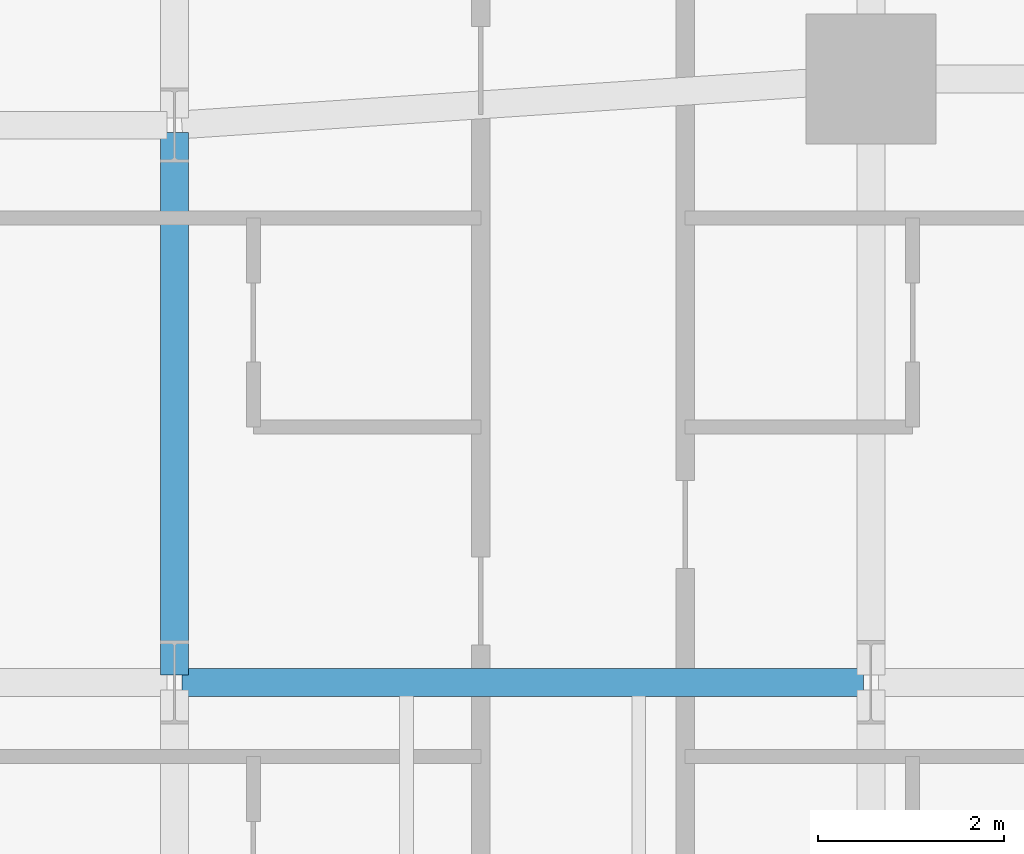
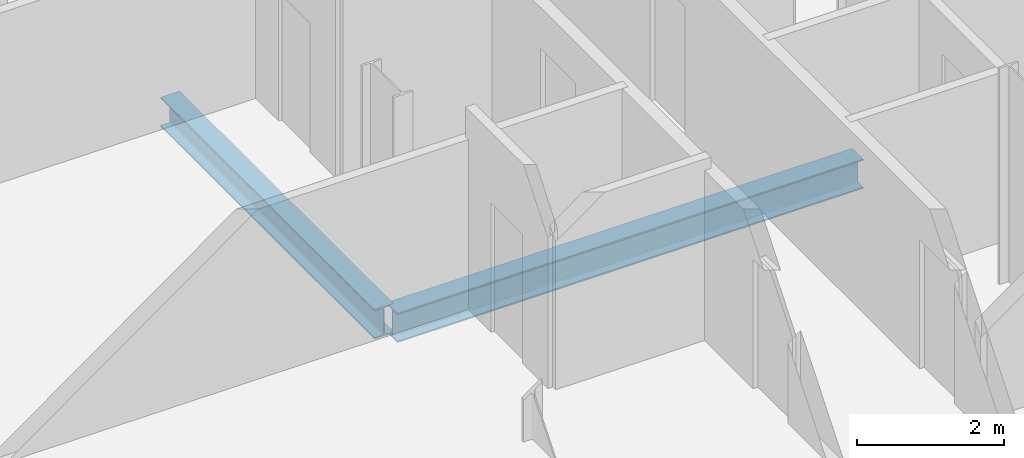
# One storey, part 10 of 33: 2 beams.
"""IFC4 building model written with IfcOpenShell, lengths in metres."""

from ifc_helpers import new_model, si_unit, direction, frame, origin, origin_2d, place, context, subcontext, project, spatial, i_section, extrude, material, material_profile, profile_set, type_object, element, save


model = new_model("IFC4")

# Units and contexts
model_context = context("Model", 3, precision=1e-05, world=origin(), true_north=direction((0.0, 1.0)))
body_context = subcontext(model_context, "Body", "Model", "MODEL_VIEW")
ifc_project = project(units=[si_unit("LENGTHUNIT", "METRE"), si_unit("AREAUNIT", "SQUARE_METRE"), si_unit("VOLUMEUNIT", "CUBIC_METRE"), si_unit("PLANEANGLEUNIT", "RADIAN"), si_unit("MASSUNIT", "GRAM", prefix="KILO")], contexts=[model_context])

# Site, building, storey
site_placement = place(None, origin())
site = spatial("IfcSite", under=ifc_project, at=site_placement, CompositionType="ELEMENT")
building_placement = place(site_placement, origin())
building = spatial("IfcBuilding", under=site, at=building_placement, Name="Catumbela Crestline Tower", CompositionType="ELEMENT")
storey_placement = place(building_placement, frame((0.0, 0.0, 72.6)))
storey = spatial("IfcBuildingStorey", under=building, at=storey_placement, Name="L18", CompositionType="ELEMENT", Elevation=72.6)

# Beams
ifc_material = material(Name="Structural steel S355J2", Category="steel")
ifc_material_profile = material_profile(ifc_material, i_section(OverallWidth=0.3, OverallDepth=0.49, WebThickness=0.012, FlangeThickness=0.023, FilletRadius=0.027, at=origin_2d()), Name="HEA 500")
ifc_profile_set = profile_set([ifc_material_profile], Name="Structural steel S355J2")
beam_type = type_object("IfcBeamType", Name="BG-HEA500", PredefinedType="BEAM", material=ifc_profile_set)
beam_1_placement = place(storey_placement, frame((8.58, 18.0, -0.505), z_axis=(1.0, 0.0, 0.0), x_axis=(0.0, 1.0, 0.0)))
element("IfcBeam", 1, at=beam_1_placement, inside=storey, type_object=beam_type, Name="L18 Beam BM-L18-WEW55", PredefinedType="BEAM", context=body_context, shape_type="SweptSolid", body=[
    extrude(i_section(OverallWidth=0.3, OverallDepth=0.49, WebThickness=0.012, FlangeThickness=0.023, FilletRadius=0.027, at=origin_2d()), origin(), (0.0, 0.0, 1.0), 7.34),
])
beam_2_placement = place(storey_placement, frame((8.5, 18.08, -0.505), z_axis=(0.0, 1.0, 0.0), x_axis=(-1.0, 0.0, 0.0)))
element("IfcBeam", 2, at=beam_2_placement, inside=storey, type_object=beam_type, Name="L18 Beam BM-L18-WNS63", PredefinedType="BEAM", context=body_context, shape_type="SweptSolid", body=[
    extrude(i_section(OverallWidth=0.3, OverallDepth=0.49, WebThickness=0.012, FlangeThickness=0.023, FilletRadius=0.027, at=origin_2d()), origin(), (0.0, 0.0, 1.0), 5.84),
])

save(model, "model.ifc")
